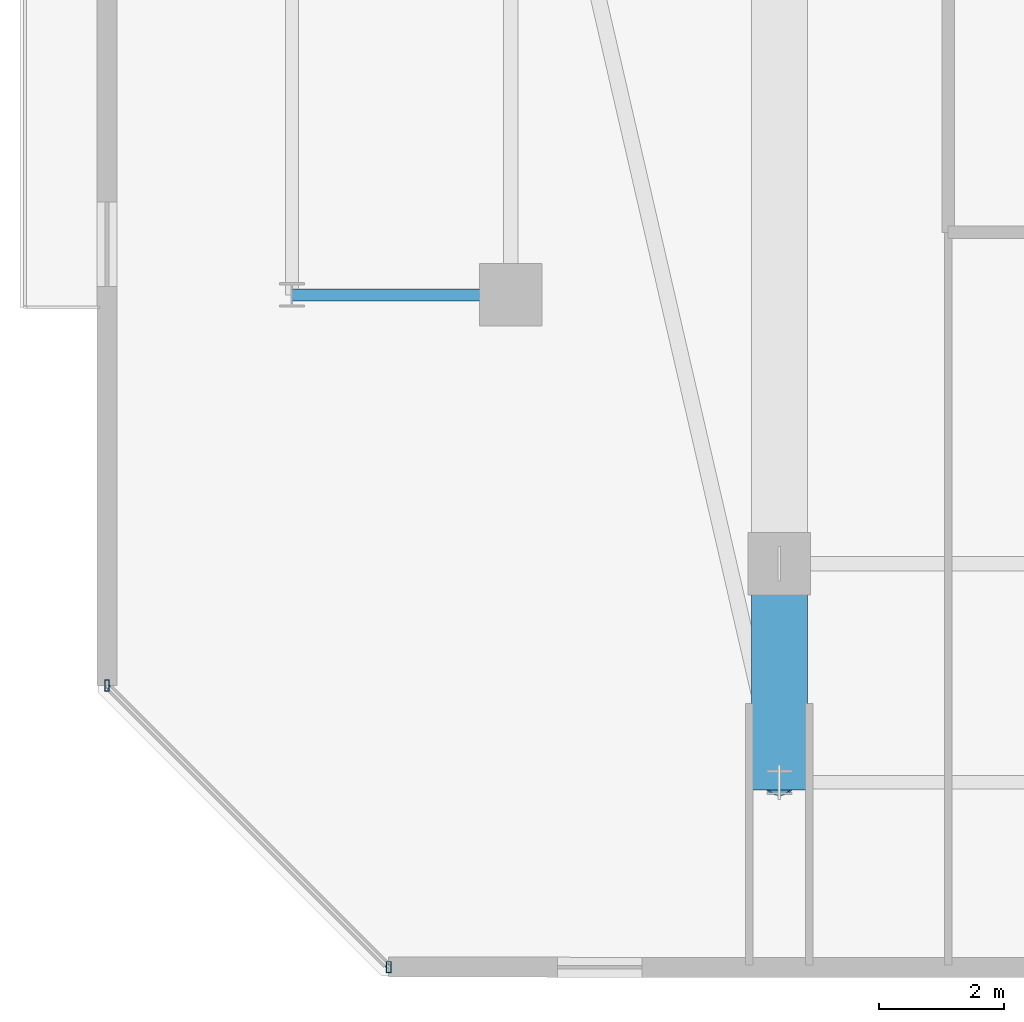
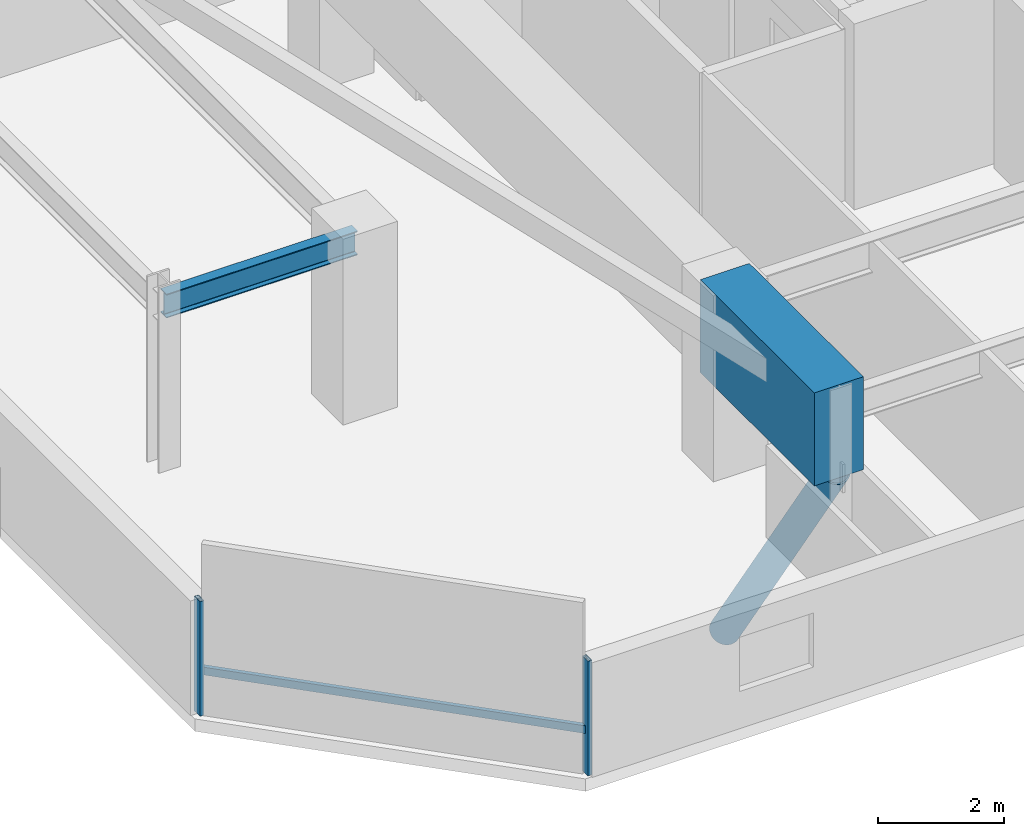
# One storey, part 3 of 34: 4 members, 2 beams, 1 element without a shape of its own.
"""IFC4 building model written with IfcOpenShell, lengths in metres."""

from ifc_helpers import new_model, si_unit, direction, frame, origin, origin_2d, place, context, subcontext, project, spatial, rectangle, hollow_rectangle, hollow_circle, i_section, extrude, material, material_profile, profile_set, type_object, element, aggregate, save


model = new_model("IFC4")

# Units and contexts
model_context = context("Model", 3, precision=1e-05, world=origin(), true_north=direction((0.0, 1.0)))
body_context = subcontext(model_context, "Body", "Model", "MODEL_VIEW")
ifc_project = project(units=[si_unit("LENGTHUNIT", "METRE"), si_unit("AREAUNIT", "SQUARE_METRE"), si_unit("VOLUMEUNIT", "CUBIC_METRE"), si_unit("PLANEANGLEUNIT", "RADIAN"), si_unit("MASSUNIT", "GRAM", prefix="KILO")], contexts=[model_context])

# Site, building, storey
site_placement = place(None, origin())
site = spatial("IfcSite", under=ifc_project, at=site_placement, CompositionType="ELEMENT")
building_placement = place(site_placement, origin())
building = spatial("IfcBuilding", under=site, at=building_placement, Name="Thornwick Lancets Civic Towers", CompositionType="ELEMENT")
storey_placement = place(building_placement, frame((0.0, 0.0, 251.10009765625)))
storey = spatial("IfcBuildingStorey", under=building, at=storey_placement, Name="L67", CompositionType="ELEMENT", Elevation=251.10009765625)

# Beams
ifc_material_1 = material(Name="Steel S355JR", Category="steel")
ifc_material_profile_1 = material_profile(ifc_material_1, i_section(OverallWidth=0.19189453125, OverallDepth=0.46337890625, WebThickness=0.010498046875, FlangeThickness=0.017578125, FilletRadius=0.01025390625, at=origin_2d()), Name="UKB 457x191x89")
ifc_profile_set_1 = profile_set([ifc_material_profile_1], Name="Steel S355JR")
beam_type_1 = type_object("IfcBeamType", Name="BM_JOIST_457_89", PredefinedType="JOIST", material=ifc_profile_set_1)
beam_1_placement = place(storey_placement, frame((8.199951171875, 14.0, 3.108154296875), z_axis=(-1.0, 0.0, 0.0), x_axis=(0.0, -1.0, 0.0)))
element("IfcBeam", 1, at=beam_1_placement, inside=storey, type_object=beam_type_1, Name="BM-RAD-L67-A10", PredefinedType="JOIST", context=body_context, shape_type="SweptSolid", body=[
    extrude(i_section(OverallWidth=0.19189453125, OverallDepth=0.46337890625, WebThickness=0.010498046875, FlangeThickness=0.017578125, FilletRadius=0.01025390625, at=origin_2d()), origin(), (0.0, 0.0, 1.0), 3.5),
])
ifc_material_2 = material(Name="Concrete C60/75", Category="concrete")
ifc_material_profile_2 = material_profile(ifc_material_2, rectangle(XDim=0.89990234375, YDim=1.800048828125, at=origin_2d()), Name="RC 900x1800")
ifc_profile_set_2 = profile_set([ifc_material_profile_2], Name="Concrete C60/75")
beam_type_2 = type_object("IfcBeamType", Name="BM_TR_RC1800", PredefinedType="BEAM", material=ifc_profile_set_2)
beam_2_placement = place(storey_placement, frame((12.5, 9.699951171875, 2.699951171875), z_axis=(0.0, -1.0, 0.0), x_axis=(1.0, 0.0, 0.0)))
element("IfcBeam", 2, at=beam_2_placement, inside=storey, type_object=beam_type_2, Name="TG-CANT-L68-A01", PredefinedType="BEAM", context=body_context, shape_type="SweptSolid", body=[
    extrude(rectangle(XDim=0.89990234375, YDim=1.800048828125, at=origin_2d()), origin(), (0.0, 0.0, 1.0), 3.619873046875),
])

# Curtain wall, members
ifc_material_3 = material(Name="High-zone chamfered-corner unitised glass curtain wall", Category="glass")
curtain_wall_type = type_object("IfcCurtainWallType", Name="CW_SYS_05", PredefinedType="NOTDEFINED", material=ifc_material_3)
curtain_wall_placement = place(storey_placement, origin())
curtain_wall = element("IfcCurtainWall", 3, at=curtain_wall_placement, inside=storey, type_object=curtain_wall_type, Name="L67 Curtain Wall CW-L67-A-E7", PredefinedType="NOTDEFINED")
ifc_material_4 = material(Name="Thermally broken bronze aluminium S355", Category="steel")
ifc_material_profile_3 = material_profile(ifc_material_4, hollow_rectangle(XDim=0.074951171875, YDim=0.179931640625, WallThickness=0.006103515625, at=origin_2d()), Name="RHS 180x75x6")
ifc_profile_set_3 = profile_set([ifc_material_profile_3], Name="Thermally broken bronze aluminium S355")
member_type_1 = type_object("IfcMemberType", Name="CW_MUL_180", PredefinedType="MULLION", material=ifc_profile_set_3)
member_1_placement = place(storey_placement, frame((1.74169921875, 7.7490234375, 0.0), z_axis=(0.0, 0.0, 1.0), x_axis=(1.0, 0.0, 0.0)))
member_1 = element("IfcMember", 4, at=member_1_placement, type_object=member_type_1, Name="CW-L67-A-E7 Mullion 0", PredefinedType="MULLION", context=body_context, shape_type="SweptSolid", body=[
    extrude(hollow_rectangle(XDim=0.074951171875, YDim=0.179931640625, WallThickness=0.006103515625, at=origin_2d()), origin(), (0.0, 0.0, 1.0), 2.219970703125),
])
member_2_placement = place(storey_placement, frame((6.2490234375, 3.24169921875, 0.0), z_axis=(0.0, 0.0, 1.0), x_axis=(1.0, 0.0, 0.0)))
member_2 = element("IfcMember", 5, at=member_2_placement, type_object=member_type_1, Name="CW-L67-A-E7 Mullion 1", PredefinedType="MULLION", context=body_context, shape_type="SweptSolid", body=[
    extrude(hollow_rectangle(XDim=0.074951171875, YDim=0.179931640625, WallThickness=0.006103515625, at=origin_2d()), origin(), (0.0, 0.0, 1.0), 2.219970703125),
])
ifc_material_profile_4 = material_profile(ifc_material_4, hollow_rectangle(XDim=0.074951171875, YDim=0.14990234375, WallThickness=0.0048828125, at=origin_2d()), Name="RHS 150x75x5")
ifc_profile_set_4 = profile_set([ifc_material_profile_4], Name="Thermally broken bronze aluminium S355")
member_type_2 = type_object("IfcMemberType", Name="CW_TRN_150", PredefinedType="USERDEFINED", material=ifc_profile_set_4)
member_3_placement = place(storey_placement, frame((1.755859375, 7.73486328125, 0.849853515625), z_axis=(0.707106781187, -0.707106781187, 0.0), x_axis=(0.707106781187, 0.707106781187, 0.0)))
member_3 = element("IfcMember", 6, at=member_3_placement, type_object=member_type_2, Name="CW-L67-A-E7 Transom 0", ObjectType="TRANSOM", PredefinedType="USERDEFINED", context=body_context, shape_type="SweptSolid", body=[
    extrude(hollow_rectangle(XDim=0.074951171875, YDim=0.14990234375, WallThickness=0.0048828125, at=origin_2d()), origin(), (0.0, 0.0, 1.0), 6.334228515625),
])
aggregate(curtain_wall, [member_1, member_2, member_3])

# Member
ifc_material_5 = material(Name="Steel S460M", Category="steel")
ifc_material_profile_5 = material_profile(ifc_material_5, hollow_circle(Radius=0.25390625, WallThickness=0.02490234375, at=origin_2d()), Name="CHS 508x25")
ifc_profile_set_5 = profile_set([ifc_material_profile_5], Name="Steel S460M")
member_type_3 = type_object("IfcMemberType", Name="MEM_STRUT_CHS508", PredefinedType="STRUT", material=ifc_profile_set_5)
member_4_placement = place(storey_placement, frame((12.5, 9.699951171875, -3.35009765625), z_axis=(0.0, -0.556167580628, 0.831070166868), x_axis=(1.0, 0.0, 0.0)))
element("IfcMember", 7, at=member_4_placement, inside=storey, type_object=member_type_3, Name="L68 Jenga Transfer Raking Strut A01", PredefinedType="STRUT", context=body_context, shape_type="SweptSolid", body=[
    extrude(hollow_circle(Radius=0.25390625, WallThickness=0.02490234375, at=origin_2d()), origin(), (0.0, 0.0, 1.0), 6.29296875),
])

save(model, "model.ifc")
